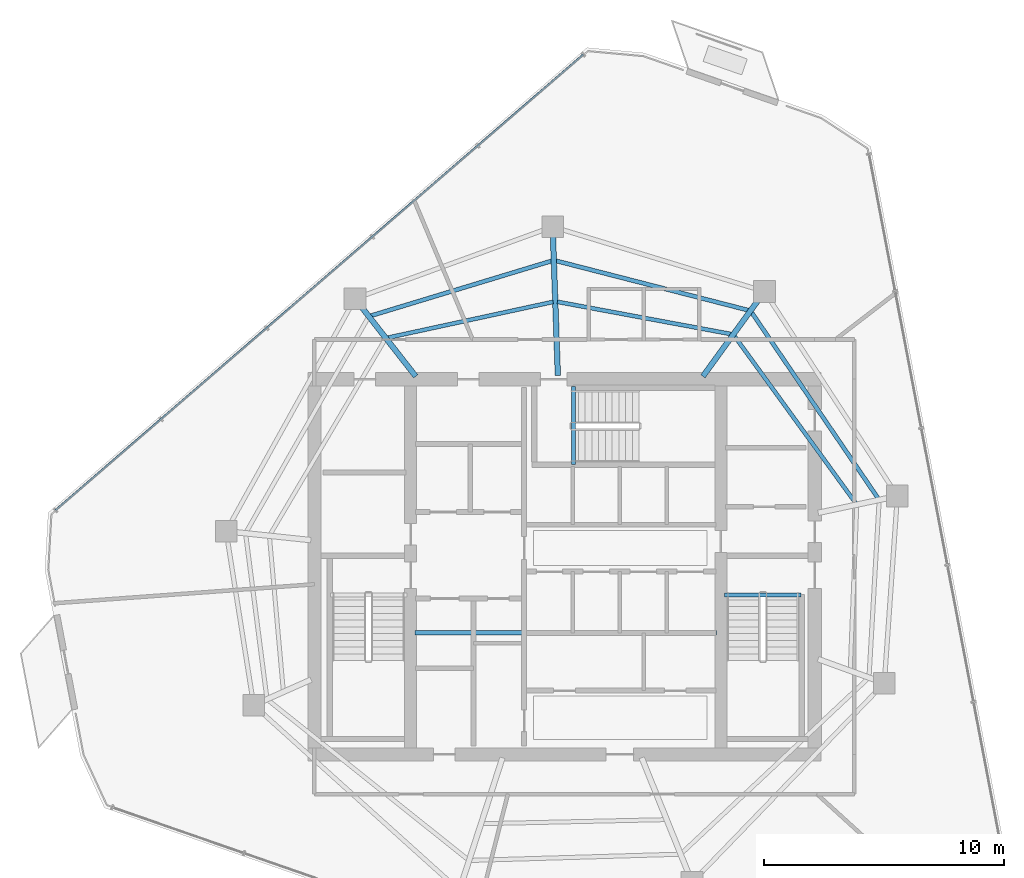
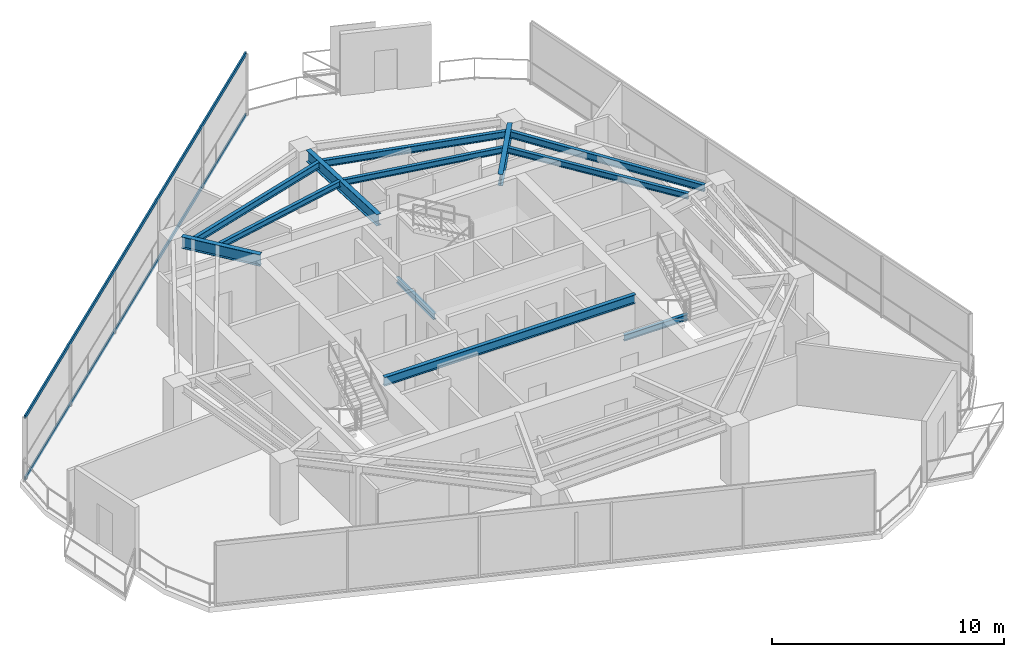
# One storey, part 8 of 18: 12 beams, 2 members, 1 element without a shape of its own.
"""IFC4 building model written with IfcOpenShell, lengths in metres."""

from ifc_helpers import new_model, si_unit, direction, frame, origin, origin_2d, place, context, subcontext, project, spatial, hollow_rectangle, i_section, extrude, material, layer, layer_set, material_profile, profile_set, type_object, element, aggregate, save


model = new_model("IFC4")

# Units and contexts
model_context = context("Model", 3, precision=1e-05, world=origin(), true_north=direction((0.0, 1.0)))
body_context = subcontext(model_context, "Body", "Model", "MODEL_VIEW")
ifc_project = project(units=[si_unit("LENGTHUNIT", "METRE"), si_unit("AREAUNIT", "SQUARE_METRE"), si_unit("VOLUMEUNIT", "CUBIC_METRE"), si_unit("PLANEANGLEUNIT", "RADIAN"), si_unit("MASSUNIT", "GRAM", prefix="KILO")], contexts=[model_context])

# Site, building, storey
site_placement = place(None, origin())
site = spatial("IfcSite", under=ifc_project, at=site_placement, CompositionType="ELEMENT")
building_placement = place(site_placement, origin())
building = spatial("IfcBuilding", under=site, at=building_placement, Name="Qarnah Convention Tower", CompositionType="ELEMENT")
storey_placement = place(building_placement, frame((0.0, 0.0, 220.199951171875)))
storey = spatial("IfcBuildingStorey", under=building, at=storey_placement, Name="L59", CompositionType="ELEMENT", Elevation=220.199951171875)

# Beams
ifc_material_1 = material(Name="Structural steel S355JR", Category="steel")
ifc_material_profile_1 = material_profile(ifc_material_1, i_section(OverallWidth=0.19189453125, OverallDepth=0.464111328125, WebThickness=0.010986328125, FlangeThickness=0.01806640625, at=origin_2d()), Name="W460X89")
ifc_profile_set_1 = profile_set([ifc_material_profile_1], Name="Structural steel S355JR")
beam_type_1 = type_object("IfcBeamType", Name="BM-CANT-W460A", PredefinedType="BEAM", material=ifc_profile_set_1)
beam_1_placement = place(storey_placement, frame((30.97998046875, 23.64990234375, 3.008056640625), z_axis=(1.0, 0.0, 0.0), x_axis=(0.0, 1.0, 0.0)))
element("IfcBeam", 1, at=beam_1_placement, inside=storey, type_object=beam_type_1, Name="L59 beam BM-L59-KC1", PredefinedType="BEAM", context=body_context, shape_type="SweptSolid", body=[
    extrude(i_section(OverallWidth=0.19189453125, OverallDepth=0.464111328125, WebThickness=0.010986328125, FlangeThickness=0.01806640625, at=origin_2d()), origin(), (0.0, 0.0, 1.0), 12.5400390625),
])
ifc_material_profile_2 = material_profile(ifc_material_1, i_section(OverallWidth=0.166015625, OverallDepth=0.31201171875, WebThickness=0.007080078125, FlangeThickness=0.010986328125, at=origin_2d()), Name="W310X45")
ifc_profile_set_2 = profile_set([ifc_material_profile_2], Name="Structural steel S355JR")
beam_type_2 = type_object("IfcBeamType", Name="BM-JST-W310", PredefinedType="JOIST", material=ifc_profile_set_2)
beam_2_placement = place(storey_placement, frame((43.860107421875, 25.217041015625, -0.156005859375), z_axis=(1.0, 0.0, 0.0), x_axis=(0.0, 1.0, 0.0)))
element("IfcBeam", 2, at=beam_2_placement, inside=storey, type_object=beam_type_2, Name="L59 stair landing trimmer beam BM-L59-ST2-TRM", PredefinedType="BEAM", context=body_context, shape_type="SweptSolid", body=[
    extrude(i_section(OverallWidth=0.166015625, OverallDepth=0.31201171875, WebThickness=0.007080078125, FlangeThickness=0.010986328125, at=origin_2d()), origin(), (0.0, 0.0, 1.0), 3.179931640625),
])
beam_3_placement = place(storey_placement, frame((37.5830078125, 30.659912109375, -0.156005859375), z_axis=(0.0, 1.0, 0.0), x_axis=(-1.0, 0.0, 0.0)))
element("IfcBeam", 3, at=beam_3_placement, inside=storey, type_object=beam_type_2, Name="L59 stair landing trimmer beam BM-L59-ST3-TRM", PredefinedType="BEAM", context=body_context, shape_type="SweptSolid", body=[
    extrude(i_section(OverallWidth=0.166015625, OverallDepth=0.31201171875, WebThickness=0.007080078125, FlangeThickness=0.010986328125, at=origin_2d()), origin(), (0.0, 0.0, 1.0), 3.239990234375),
])
beam_4_placement = place(storey_placement, frame((49.302001953125, 29.056884765625, 3.083984375), z_axis=(-0.587474793176, 0.809242465138, 0.0), x_axis=(-0.809242465138, -0.587474793176, 0.0)))
element("IfcBeam", 4, at=beam_4_placement, inside=storey, type_object=beam_type_2, Name="L59 joist BM-L59-IJST-01", PredefinedType="JOIST", context=body_context, shape_type="SweptSolid", body=[
    extrude(i_section(OverallWidth=0.166015625, OverallDepth=0.31201171875, WebThickness=0.007080078125, FlangeThickness=0.010986328125, at=origin_2d()), origin(), (0.0, 0.0, 1.0), 8.563720703125),
])
beam_5_placement = place(storey_placement, frame((44.1298828125, 36.075927734375, 3.083984375), z_axis=(-0.983190695227, 0.182581644257, 0.0), x_axis=(-0.182581644257, -0.983190695227, 0.0)))
element("IfcBeam", 5, at=beam_5_placement, inside=storey, type_object=beam_type_2, Name="L59 joist BM-L59-IJST-02", PredefinedType="JOIST", context=body_context, shape_type="SweptSolid", body=[
    extrude(i_section(OverallWidth=0.166015625, OverallDepth=0.31201171875, WebThickness=0.007080078125, FlangeThickness=0.010986328125, at=origin_2d()), origin(), (0.0, 0.0, 1.0), 7.350341796875),
])
beam_6_placement = place(storey_placement, frame((36.72705078125, 37.4150390625, 3.083984375), z_axis=(-0.977325057223, -0.211744498215, 0.0), x_axis=(0.211744498215, -0.977325057223, 0.0)))
element("IfcBeam", 6, at=beam_6_placement, inside=storey, type_object=beam_type_2, Name="L59 joist BM-L59-IJST-03", PredefinedType="JOIST", context=body_context, shape_type="SweptSolid", body=[
    extrude(i_section(OverallWidth=0.166015625, OverallDepth=0.31201171875, WebThickness=0.007080078125, FlangeThickness=0.010986328125, at=origin_2d()), origin(), (0.0, 0.0, 1.0), 7.027587890625),
])
ifc_material_profile_3 = material_profile(ifc_material_1, i_section(OverallWidth=0.172119140625, OverallDepth=0.35595703125, WebThickness=0.007080078125, FlangeThickness=0.011962890625, at=origin_2d()), Name="W360X51")
ifc_profile_set_3 = profile_set([ifc_material_profile_3], Name="Structural steel S355JR")
beam_type_3 = type_object("IfcBeamType", Name="BM-JST-W360", PredefinedType="JOIST", material=ifc_profile_set_3)
beam_7_placement = place(storey_placement, frame((50.23291015625, 29.2548828125, 3.06201171875), z_axis=(-0.562374425421, 0.826882703672, 0.0), x_axis=(-0.826882703672, -0.562374425421, 0.0)))
element("IfcBeam", 7, at=beam_7_placement, inside=storey, type_object=beam_type_3, Name="L59 joist BM-L59-SJST-01", PredefinedType="JOIST", context=body_context, shape_type="SweptSolid", body=[
    extrude(i_section(OverallWidth=0.172119140625, OverallDepth=0.35595703125, WebThickness=0.007080078125, FlangeThickness=0.011962890625, at=origin_2d()), origin(), (0.0, 0.0, 1.0), 9.33154296875),
])
beam_8_placement = place(storey_placement, frame((44.846923828125, 37.06689453125, 3.06201171875), z_axis=(-0.968529970229, 0.248896960142, 0.0), x_axis=(-0.248896960142, -0.968529970229, 0.0)))
element("IfcBeam", 8, at=beam_8_placement, inside=storey, type_object=beam_type_3, Name="L59 joist BM-L59-SJST-02", PredefinedType="JOIST", context=body_context, shape_type="SweptSolid", body=[
    extrude(i_section(OverallWidth=0.172119140625, OverallDepth=0.35595703125, WebThickness=0.007080078125, FlangeThickness=0.011962890625, at=origin_2d()), origin(), (0.0, 0.0, 1.0), 8.264892578125),
])
beam_9_placement = place(storey_placement, frame((36.6689453125, 39.1201171875, 3.06201171875), z_axis=(-0.956935771125, -0.290299724321, 0.0), x_axis=(0.290299724321, -0.956935771125, 0.0)))
element("IfcBeam", 9, at=beam_9_placement, inside=storey, type_object=beam_type_3, Name="L59 joist BM-L59-SJST-03", PredefinedType="JOIST", context=body_context, shape_type="SweptSolid", body=[
    extrude(i_section(OverallWidth=0.172119140625, OverallDepth=0.35595703125, WebThickness=0.007080078125, FlangeThickness=0.011962890625, at=origin_2d()), origin(), (0.0, 0.0, 1.0), 7.857421875),
])
ifc_material_profile_4 = material_profile(ifc_material_1, i_section(OverallWidth=0.22802734375, OverallDepth=0.60791015625, WebThickness=0.010986328125, FlangeThickness=0.01708984375, at=origin_2d()), Name="W610X113")
ifc_profile_set_4 = profile_set([ifc_material_profile_4], Name="Structural steel S355JR")
beam_type_4 = type_object("IfcBeamType", Name="BM-RAD-W610B", PredefinedType="BEAM", material=ifc_profile_set_4)
beam_10_placement = place(storey_placement, frame((42.955078125, 34.321044921875, 2.93603515625), z_axis=(0.587650613849, 0.809114797815, 0.0), x_axis=(-0.809114797815, 0.587650613849, 0.0)))
element("IfcBeam", 10, at=beam_10_placement, inside=storey, type_object=beam_type_4, Name="L59 beam BM-L59-RAD-02", PredefinedType="BEAM", context=body_context, shape_type="SweptSolid", body=[
    extrude(i_section(OverallWidth=0.22802734375, OverallDepth=0.60791015625, WebThickness=0.010986328125, FlangeThickness=0.01708984375, at=origin_2d()), origin(), (0.0, 0.0, 1.0), 3.928955078125),
])
beam_11_placement = place(storey_placement, frame((36.923095703125, 34.35009765625, 2.93603515625), z_axis=(-0.035067624348, 0.999384941713, 0.0), x_axis=(-0.999384941713, -0.035067624348, 0.0)))
element("IfcBeam", 11, at=beam_11_placement, inside=storey, type_object=beam_type_4, Name="L59 beam BM-L59-RAD-03", PredefinedType="BEAM", context=body_context, shape_type="SweptSolid", body=[
    extrude(i_section(OverallWidth=0.22802734375, OverallDepth=0.60791015625, WebThickness=0.010986328125, FlangeThickness=0.01708984375, at=origin_2d()), origin(), (0.0, 0.0, 1.0), 5.7646484375),
])
beam_12_placement = place(storey_placement, frame((31.013916015625, 34.318115234375, 2.93603515625), z_axis=(-0.615807906571, 0.787896327066, 0.0), x_axis=(-0.787896327066, -0.615807906571, 0.0)))
element("IfcBeam", 12, at=beam_12_placement, inside=storey, type_object=beam_type_4, Name="L59 beam BM-L59-RAD-04", PredefinedType="BEAM", context=body_context, shape_type="SweptSolid", body=[
    extrude(i_section(OverallWidth=0.22802734375, OverallDepth=0.60791015625, WebThickness=0.010986328125, FlangeThickness=0.01708984375, at=origin_2d()), origin(), (0.0, 0.0, 1.0), 3.671630859375),
])

# Curtain wall, members
ifc_material_2 = material(Name="Tempered Low-E dark glass", Category="glass")
ifc_layer = layer(ifc_material_2, 0.174072265625)
ifc_layer_set = layer_set([ifc_layer], Name="Tempered Low-E dark glass")
curtain_wall_type = type_object("IfcCurtainWallType", Name="CWS-04", PredefinedType="NOTDEFINED", material=ifc_layer_set)
curtain_wall_placement = place(storey_placement, origin())
curtain_wall = element("IfcCurtainWall", 13, at=curtain_wall_placement, inside=storey, type_object=curtain_wall_type, Name="L59 unitised curtain wall CW-L59-F1", PredefinedType="NOTDEFINED")
ifc_material_3 = material(Name="Black anodised aluminium", Category="aluminium")
ifc_material_profile_5 = material_profile(ifc_material_3, hollow_rectangle(XDim=0.074951171875, YDim=0.18994140625, WallThickness=0.0048828125, at=origin_2d()), Name="TRN-75X190")
ifc_profile_set_5 = profile_set([ifc_material_profile_5], Name="Black anodised aluminium")
member_type = type_object("IfcMemberType", Name="TRN-T4", PredefinedType="USERDEFINED", material=ifc_profile_set_5)
member_1_placement = place(storey_placement, frame((16.032958984375, 28.75390625, 0.0), z_axis=(0.756975013973, 0.653443821779, 0.0), x_axis=(-0.653443821779, 0.756975013973, 0.0)))
member_1 = element("IfcMember", 14, at=member_1_placement, type_object=member_type, Name="CW-L59-F1 transom 1", ObjectType="TRANSOM", PredefinedType="USERDEFINED", context=body_context, shape_type="SweptSolid", body=[
    extrude(hollow_rectangle(XDim=0.074951171875, YDim=0.18994140625, WallThickness=0.0048828125, at=origin_2d()), origin(), (0.0, 0.0, 1.0), 28.99560546875),
])
member_2_placement = place(storey_placement, frame((16.032958984375, 28.75390625, 3.239990234375), z_axis=(0.756975013973, 0.653443821779, 0.0), x_axis=(-0.653443821779, 0.756975013973, 0.0)))
member_2 = element("IfcMember", 15, at=member_2_placement, type_object=member_type, Name="CW-L59-F1 transom 2", ObjectType="TRANSOM", PredefinedType="USERDEFINED", context=body_context, shape_type="SweptSolid", body=[
    extrude(hollow_rectangle(XDim=0.074951171875, YDim=0.18994140625, WallThickness=0.0048828125, at=origin_2d()), origin(), (0.0, 0.0, 1.0), 28.99560546875),
])
aggregate(curtain_wall, [member_1, member_2])

save(model, "model.ifc")
